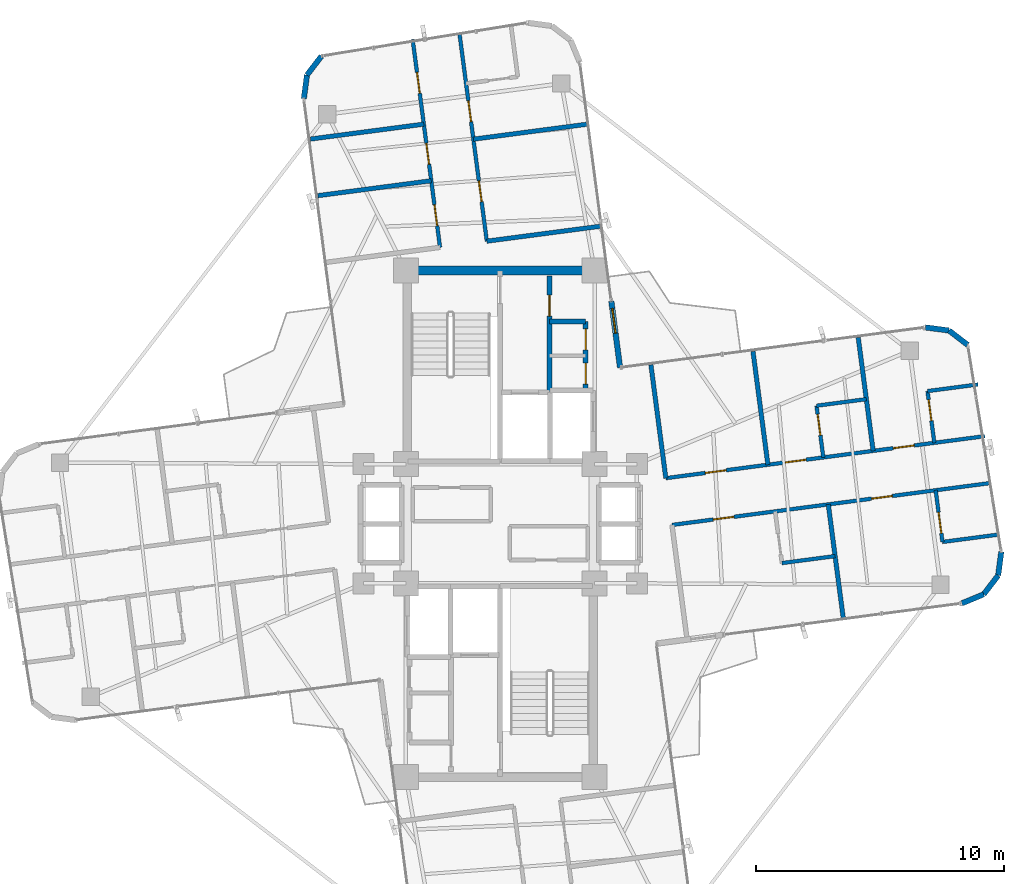
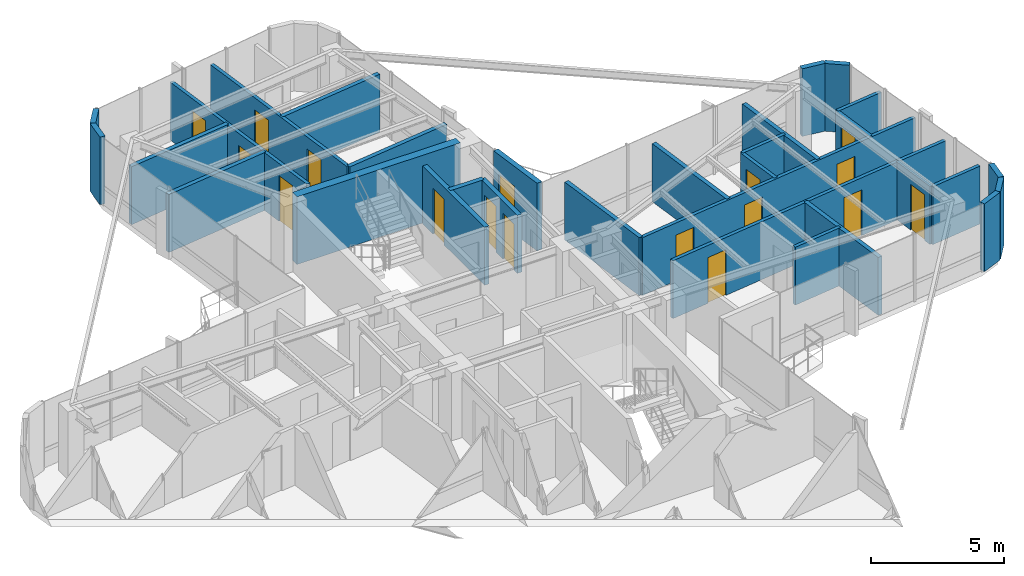
# One storey, part 21 of 23: 31 walls, 17 doors, 17 openings.
"""IFC4 building model written with IfcOpenShell, lengths in metres."""

from ifc_helpers import new_model, si_unit, direction, frame, frame_2d, origin, origin_2d, place, context, subcontext, project, spatial, rectangle, extrude, source, transform, mapped, material, layer, layer_set, type_object, element, fill, save


model = new_model("IFC4")

# Units and contexts
model_context = context("Model", 3, precision=1e-05, world=origin(), true_north=direction((0.0, 1.0)))
body_context = subcontext(model_context, "Body", "Model", "MODEL_VIEW")
ifc_project = project(units=[si_unit("LENGTHUNIT", "METRE"), si_unit("AREAUNIT", "SQUARE_METRE"), si_unit("VOLUMEUNIT", "CUBIC_METRE"), si_unit("PLANEANGLEUNIT", "RADIAN"), si_unit("MASSUNIT", "GRAM", prefix="KILO")], contexts=[model_context])

# Site, building, storey
site_placement = place(None, origin())
site = spatial("IfcSite", under=ifc_project, at=site_placement, CompositionType="ELEMENT")
building_placement = place(site_placement, origin())
building = spatial("IfcBuilding", under=site, at=building_placement, Name="Sahyath Konkavel Grand Hotel", CompositionType="ELEMENT")
storey_placement = place(building_placement, frame((0.0, 0.0, 254.550048828125)))
storey = spatial("IfcBuildingStorey", under=building, at=storey_placement, Name="L71", CompositionType="ELEMENT", Elevation=254.550048828125)

# Walls
ifc_material_1 = material(Name="Concrete C40/50", Category="concrete")
ifc_layer_1 = layer(ifc_material_1, 0.35009765625)
ifc_layer_set_1 = layer_set([ifc_layer_1], Name="Concrete C40/50")
wall_type_1 = type_object("IfcWallType", Name="CWALL-350", PredefinedType="SHEAR", material=ifc_layer_set_1)
wall_1_placement = place(storey_placement, frame((-3.550048828125, 10.199951171875, 0.0), z_axis=(0.0, 0.0, 1.0), x_axis=(1.0, 0.0, 0.0)))
element("IfcWall", 1, at=wall_1_placement, inside=storey, type_object=wall_type_1, Name="L71 North Core Shear Wall N", PredefinedType="SHEAR", context=body_context, shape_type="SweptSolid", body=[
    extrude(rectangle(XDim=7.10009765625, YDim=0.35009765625, at=frame_2d((3.550048828125, 0.0))), origin(), (0.0, 0.0, 1.0), 3.10986328125),
])
ifc_material_2 = material(Name="Warm Buff Sandstone Insulated Concrete C40/50", Category="masonry")
ifc_layer_2 = layer(ifc_material_2, 0.219970703125)
ifc_layer_set_2 = layer_set([ifc_layer_2], Name="Warm Buff Sandstone Insulated Concrete C40/50")
wall_type_2 = type_object("IfcWallType", Name="WLL-BALC-THRESH", PredefinedType="STANDARD", material=ifc_layer_set_2)
for number, where, z_axis, x_axis, name in (
    (2, (18.58056640625, -3.206298828125, 0.0), (0.0, 0.0, 1.0), (0.923761914696, 0.382967263559, 0.0), "L71 Rounded Corner Sandstone Pier 1"),
    (3, (19.465087890625, -2.839599609375, 0.0), (0.0, 0.0, 1.0), (0.608897151398, 0.793249178392, 0.0), "L71 Rounded Corner Sandstone Pier 2"),
):
    element("IfcWall", number, at=place(storey_placement, frame(where, z_axis=z_axis, x_axis=x_axis)), inside=storey, type_object=wall_type_2, Name=name, PredefinedType="STANDARD", context=body_context, shape_type="SweptSolid", body=[
        extrude(rectangle(XDim=0.95751953125, YDim=0.219970703125, at=frame_2d((0.478759765625, 0.0))), origin(), (0.0, 0.0, 1.0), 3.10986328125),
    ])
for number, where, z_axis, x_axis, name in (
    (4, (20.048095703125, -2.080078125, 0.0), (0.0, 0.0, 1.0), (0.130527053476, 0.991444747987, 0.0), "L71 Rounded Corner Sandstone Pier 3"),
    (5, (18.82666015625, 7.197998046875, 0.0), (0.0, 0.0, 1.0), (-0.793343685778, 0.608774010809, 0.0), "L71 Rounded Corner Sandstone Pier 5"),
    (6, (18.06689453125, 7.781005859375, 0.0), (0.0, 0.0, 1.0), (-0.991444747987, 0.130527053476, 0.0), "L71 Rounded Corner Sandstone Pier 6"),
):
    element("IfcWall", number, at=place(storey_placement, frame(where, z_axis=z_axis, x_axis=x_axis)), inside=storey, type_object=wall_type_2, Name=name, PredefinedType="STANDARD", context=body_context, shape_type="SweptSolid", body=[
        extrude(rectangle(XDim=0.957763671875, YDim=0.219970703125, at=frame_2d((0.47900390625, 0.0))), origin(), (0.0, 0.0, 1.0), 3.10986328125),
    ])

# Wall, opening, door
wall_2_placement = place(storey_placement, frame((4.82470703125, 6.28759765625, 0.0), z_axis=(0.0, 0.0, 1.0), x_axis=(-0.130576147498, 0.991438283356, 0.0)))
wall_2 = element("IfcWall", 7, at=wall_2_placement, inside=storey, type_object=wall_type_2, Name="L71 Winter-Garden Threshold Wall 8", PredefinedType="STANDARD", context=body_context, shape_type="SweptSolid", body=[
    extrude(rectangle(XDim=2.699951171875, YDim=0.219970703125, at=frame_2d((1.35009765625, 0.0))), origin(), (0.0, 0.0, 1.0), 3.10986328125),
])
opening_1_placement = place(wall_2_placement, frame((1.39990234375, 0.0, 0.0)))
opening_1 = element("IfcOpeningElement", 8, at=opening_1_placement, cuts=wall_2, Name="Opening D-TR1", PredefinedType="OPENING", context=body_context, shape_type="SweptSolid", body=[
    extrude(rectangle(XDim=1.0, YDim=2.199951171875, at=frame_2d((0.5, 1.10009765625))), frame((0.0, 0.1201171875, 0.0), z_axis=(0.0, -1.0, 0.0), x_axis=(1.0, 0.0, 0.0)), (0.0, 0.0, 1.0), 0.239990234375),
])
ifc_material_3 = material(Name="Anodised Bronze Aluminium & Low-E Glazing", Category="aluminium")
door_type_1 = type_object("IfcDoorType", Name="DR-TERRACE-1000", OperationType="NOTDEFINED", PredefinedType="DOOR", material=ifc_material_3)
shared_shape_1 = source(origin(), body_context, "Body", "SweptSolid", [
    extrude(rectangle(XDim=1.0, YDim=0.050048828125, at=origin_2d()), origin(), (0.0, 0.0, 1.0), 2.199951171875),
])
door_1_placement = place(opening_1_placement, frame((0.5, 0.0, 0.0)))
door_1 = element("IfcDoor", 9, at=door_1_placement, inside=storey, type_object=door_type_1, Name="L71 Winter-Garden Terrace Door 8", OperationType="SINGLE_SWING_LEFT", OverallHeight=2.199951171875, OverallWidth=1.0, PredefinedType="DOOR", context=body_context, shape_type="MappedRepresentation", body=[
    mapped(shared_shape_1, transform((0.0, 0.0, 0.0), scale=1.0)),
])
fill(opening_1, door_1)

# Walls
for number, where, z_axis, x_axis, name in (
    (10, (-7.197998046875, 18.82666015625, 0.0), (0.0, 0.0, 1.0), (-0.608774010809, -0.793343685778, 0.0), "L71 Rounded Corner Sandstone Pier 13"),
    (11, (-7.781005859375, 18.06689453125, 0.0), (0.0, 0.0, 1.0), (-0.130527053476, -0.991444747987, 0.0), "L71 Rounded Corner Sandstone Pier 14"),
):
    element("IfcWall", number, at=place(storey_placement, frame(where, z_axis=z_axis, x_axis=x_axis)), inside=storey, type_object=wall_type_2, Name=name, PredefinedType="STANDARD", context=body_context, shape_type="SweptSolid", body=[
        extrude(rectangle(XDim=0.957763671875, YDim=0.219970703125, at=frame_2d((0.47900390625, 0.0))), origin(), (0.0, 0.0, 1.0), 3.10986328125),
    ])

# Wall, opening, door
ifc_layer_3 = layer(ifc_material_1, 0.199951171875)
ifc_layer_set_3 = layer_set([ifc_layer_3], Name="Concrete C40/50")
wall_type_3 = type_object("IfcWallType", Name="WLL-CORE-200", PredefinedType="SOLIDWALL", material=ifc_layer_set_3)
wall_3_placement = place(storey_placement, frame((1.97998046875, 5.320068359375, 0.0), z_axis=(0.0, 0.0, 1.0), x_axis=(0.0, 1.0, 0.0)))
wall_3 = element("IfcWall", 12, at=wall_3_placement, inside=storey, type_object=wall_type_3, Name="L71 North Firefighting Lobby Wall E", PredefinedType="SOLIDWALL", context=body_context, shape_type="SweptSolid", body=[
    extrude(rectangle(XDim=4.659912109375, YDim=0.199951171875, at=frame_2d((2.330078125, 0.0))), origin(), (0.0, 0.0, 1.0), 2.659912109375),
])
opening_2_placement = place(wall_3_placement, frame((3.0400390625, 0.0, 0.0)))
opening_2 = element("IfcOpeningElement", 13, at=opening_2_placement, cuts=wall_3, Name="Opening D-F12D", PredefinedType="OPENING", context=body_context, shape_type="SweptSolid", body=[
    extrude(rectangle(XDim=0.85009765625, YDim=2.10009765625, at=frame_2d((0.425048828125, 1.050048828125))), frame((0.0, 0.10986328125, 0.0), z_axis=(0.0, -1.0, 0.0), x_axis=(1.0, 0.0, 0.0)), (0.0, 0.0, 1.0), 0.219970703125),
])
ifc_material_4 = material(Name="Steel E350 Core Fire Door", Category="steel")
door_type_2 = type_object("IfcDoorType", Name="DR-FD120-850", OperationType="NOTDEFINED", PredefinedType="DOOR", material=ifc_material_4)
shared_shape_2 = source(origin(), body_context, "Body", "SweptSolid", [
    extrude(rectangle(XDim=0.85009765625, YDim=0.050048828125, at=origin_2d()), origin(), (0.0, 0.0, 1.0), 2.10009765625),
])
door_2_placement = place(opening_2_placement, frame((0.425048828125, 0.0, 0.0)))
door_2 = element("IfcDoor", 14, at=door_2_placement, inside=storey, type_object=door_type_2, Name="L71 North Firefighting Lobby Door", OperationType="SINGLE_SWING_LEFT", OverallHeight=2.10009765625, OverallWidth=0.85009765625, PredefinedType="DOOR", context=body_context, shape_type="MappedRepresentation", body=[
    mapped(shared_shape_2, transform((0.0, 0.0, 0.0), scale=1.0)),
])
fill(opening_2, door_2)

# Wall, openings, doors
wall_4_placement = place(storey_placement, frame((3.43994140625, 5.3798828125, 0.0), z_axis=(0.0, 0.0, 1.0), x_axis=(0.0, 1.0, 0.0)))
wall_4 = element("IfcWall", 15, at=wall_4_placement, inside=storey, type_object=wall_type_3, Name="L71 Reclaimed North Core Wall E", PredefinedType="SOLIDWALL", context=body_context, shape_type="SweptSolid", body=[
    extrude(rectangle(XDim=2.77001953125, YDim=0.199951171875, at=frame_2d((1.385009765625, 0.0))), origin(), (0.0, 0.0, 1.0), 2.659912109375),
])
opening_3_placement = place(wall_4_placement, frame((0.239990234375, 0.0, 0.0)))
opening_3 = element("IfcOpeningElement", 16, at=opening_3_placement, cuts=wall_4, Name="Opening D-F06D", PredefinedType="OPENING", context=body_context, shape_type="SweptSolid", body=[
    extrude(rectangle(XDim=0.85009765625, YDim=2.10009765625, at=frame_2d((0.425048828125, 1.050048828125))), frame((0.0, 0.10986328125, 0.0), z_axis=(0.0, -1.0, 0.0), x_axis=(1.0, 0.0, 0.0)), (0.0, 0.0, 1.0), 0.219970703125),
])
opening_4_placement = place(wall_4_placement, frame((1.6201171875, 0.0, 0.0)))
opening_4 = element("IfcOpeningElement", 17, at=opening_4_placement, cuts=wall_4, Name="Opening D-F06D", PredefinedType="OPENING", context=body_context, shape_type="SweptSolid", body=[
    extrude(rectangle(XDim=0.85009765625, YDim=2.10009765625, at=frame_2d((0.425048828125, 1.050048828125))), frame((0.0, 0.10986328125, 0.0), z_axis=(0.0, -1.0, 0.0), x_axis=(1.0, 0.0, 0.0)), (0.0, 0.0, 1.0), 0.219970703125),
])
ifc_material_5 = material(Name="Fire-Rated Shaft Access Door")
door_type_3 = type_object("IfcDoorType", Name="DR-FD60-850", OperationType="NOTDEFINED", PredefinedType="DOOR", material=ifc_material_5)
door_3_placement = place(opening_3_placement, frame((0.425048828125, 0.0, 0.0)))
door_3 = element("IfcDoor", 18, at=door_3_placement, inside=storey, type_object=door_type_3, Name="L71 Door NC-REC1-D", OperationType="SINGLE_SWING_LEFT", OverallHeight=2.10009765625, OverallWidth=0.85009765625, PredefinedType="DOOR", context=body_context, shape_type="MappedRepresentation", body=[
    mapped(shared_shape_2, transform((0.0, 0.0, 0.0), scale=1.0)),
])
fill(opening_3, door_3)
door_4_placement = place(opening_4_placement, frame((0.425048828125, 0.0, 0.0)))
door_4 = element("IfcDoor", 19, at=door_4_placement, inside=storey, type_object=door_type_3, Name="L71 Door NC-REC2-D", OperationType="SINGLE_SWING_RIGHT", OverallHeight=2.10009765625, OverallWidth=0.85009765625, PredefinedType="DOOR", context=body_context, shape_type="MappedRepresentation", body=[
    mapped(shared_shape_2, transform((0.0, 0.0, 0.0), scale=1.0)),
])
fill(opening_4, door_4)

# Walls
wall_5_placement = place(storey_placement, frame((1.97998046875, 8.14990234375, 0.0), z_axis=(0.0, 0.0, 1.0), x_axis=(1.0, 0.0, 0.0)))
element("IfcWall", 20, at=wall_5_placement, inside=storey, type_object=wall_type_3, Name="L71 Partition NC-REC-N", PredefinedType="SOLIDWALL", context=body_context, shape_type="SweptSolid", body=[
    extrude(rectangle(XDim=1.4599609375, YDim=0.199951171875, at=frame_2d((0.72998046875, 0.0))), origin(), (0.0, 0.0, 1.0), 2.659912109375),
])
ifc_material_6 = material(Name="Twin-Stud Acoustic Gypsum Plasterboard Partition")
ifc_layer_4 = layer(ifc_material_6, 0.179931640625)
ifc_layer_set_4 = layer_set([ifc_layer_4], Name="Twin-Stud Acoustic Gypsum Plasterboard Partition")
wall_type_4 = type_object("IfcWallType", Name="WLL-DEMISE-180", PredefinedType="PARTITIONING", material=ifc_layer_set_4)
for number, where, z_axis, x_axis, name in (
    (21, (6.66748046875, 1.8359375, 0.0), (0.0, 0.0, 1.0), (-0.130551902153, 0.991441476258, 0.0), "L71 Partition E-INL"),
    (22, (10.77685546875, 2.376953125, 0.0), (0.0, 0.0, 1.0), (-0.130499778621, 0.991448338432, 0.0), "L71 Partition E-E1L-DEM"),
    (23, (15.014404296875, 2.934814453125, 0.0), (0.0, 0.0, 1.0), (-0.130551902153, 0.991441476258, 0.0), "L71 Partition E-E2L-DEM"),
    (24, (13.2080078125, 0.78076171875, 0.0), (0.0, 0.0, 1.0), (0.130551902153, -0.991441476258, 0.0), "L71 Partition E-E1R-DEM"),
):
    element("IfcWall", number, at=place(storey_placement, frame(where, z_axis=z_axis, x_axis=x_axis)), inside=storey, type_object=wall_type_4, Name=name, PredefinedType="PARTITIONING", context=body_context, shape_type="SweptSolid", body=[
        extrude(rectangle(XDim=4.60400390625, YDim=0.179931640625, at=frame_2d((2.302001953125, 0.0))), origin(), (0.0, 0.0, 1.0), 2.659912109375),
    ])
wall_6_placement = place(storey_placement, frame((4.02490234375, 11.977783203125, 0.0), z_axis=(0.0, 0.0, 1.0), x_axis=(-0.991447435299, -0.13050663983, 0.0)))
element("IfcWall", 25, at=wall_6_placement, inside=storey, type_object=wall_type_4, Name="L71 Partition N-INR", PredefinedType="PARTITIONING", context=body_context, shape_type="SweptSolid", body=[
    extrude(rectangle(XDim=4.603759765625, YDim=0.179931640625, at=frame_2d((2.3017578125, 0.0))), origin(), (0.0, 0.0, 1.0), 2.659912109375),
])
for number, where, z_axis, x_axis, name in (
    (26, (-2.7763671875, 13.810791015625, 0.0), (0.0, 0.0, 1.0), (-0.991441476258, -0.130551902153, 0.0), "L71 Partition N-N1L-DEM"),
    (27, (-3.076416015625, 16.089111328125, 0.0), (0.0, 0.0, 1.0), (-0.991448338432, -0.130499778621, 0.0), "L71 Partition N-N2L-DEM"),
):
    element("IfcWall", number, at=place(storey_placement, frame(where, z_axis=z_axis, x_axis=x_axis)), inside=storey, type_object=wall_type_4, Name=name, PredefinedType="PARTITIONING", context=body_context, shape_type="SweptSolid", body=[
        extrude(rectangle(XDim=4.60400390625, YDim=0.179931640625, at=frame_2d((2.302001953125, 0.0))), origin(), (0.0, 0.0, 1.0), 2.659912109375),
    ])
wall_7_placement = place(storey_placement, frame((-1.080078125, 15.4833984375, 0.0), z_axis=(0.0, 0.0, 1.0), x_axis=(0.991440572409, 0.130558766007, 0.0)))
element("IfcWall", 28, at=wall_7_placement, inside=storey, type_object=wall_type_4, Name="L71 Partition N-N1R-DEM", PredefinedType="PARTITIONING", context=body_context, shape_type="SweptSolid", body=[
    extrude(rectangle(XDim=4.603759765625, YDim=0.179931640625, at=frame_2d((2.3017578125, 0.0))), origin(), (0.0, 0.0, 1.0), 2.659912109375),
])

# Wall, openings, doors
ifc_material_7 = material(Name="Fire-Rated Gypsum Plasterboard Partition")
ifc_layer_5 = layer(ifc_material_7, 0.14990234375)
ifc_layer_set_5 = layer_set([ifc_layer_5], Name="Fire-Rated Gypsum Plasterboard Partition")
wall_type_5 = type_object("IfcWallType", Name="WLL-PART-150", PredefinedType="PARTITIONING", material=ifc_layer_set_5)
wall_8_placement = place(storey_placement, frame((6.66748046875, 1.8359375, 0.0), z_axis=(0.0, 0.0, 1.0), x_axis=(0.991444990711, 0.1305252098, 0.0)))
wall_8 = element("IfcWall", 29, at=wall_8_placement, inside=storey, type_object=wall_type_5, Name="L71 Partition E-CL", PredefinedType="PARTITIONING", context=body_context, shape_type="SweptSolid", body=[
    extrude(rectangle(XDim=12.952880859375, YDim=0.14990234375, at=frame_2d((6.4765625, 0.0))), origin(), (0.0, 0.0, 1.0), 2.659912109375),
])
opening_5_placement = place(wall_8_placement, frame((1.596923828125, 0.0, 0.0)))
opening_5 = element("IfcOpeningElement", 30, at=opening_5_placement, cuts=wall_8, Name="Opening D-F06D", PredefinedType="OPENING", context=body_context, shape_type="SweptSolid", body=[
    extrude(rectangle(XDim=0.85009765625, YDim=2.10009765625, at=frame_2d((0.425048828125, 1.050048828125))), frame((0.0, 0.0849609375, 0.0), z_axis=(0.0, -1.0, 0.0), x_axis=(1.0, 0.0, 0.0)), (0.0, 0.0, 1.0), 0.169921875),
])
opening_6_placement = place(wall_8_placement, frame((4.844970703125, 0.0, 0.0)))
opening_6 = element("IfcOpeningElement", 31, at=opening_6_placement, cuts=wall_8, Name="Opening D-F06D", PredefinedType="OPENING", context=body_context, shape_type="SweptSolid", body=[
    extrude(rectangle(XDim=0.85009765625, YDim=2.10009765625, at=frame_2d((0.425048828125, 1.050048828125))), frame((0.0, 0.0849609375, 0.0), z_axis=(0.0, -1.0, 0.0), x_axis=(1.0, 0.0, 0.0)), (0.0, 0.0, 1.0), 0.169921875),
])
opening_7_placement = place(wall_8_placement, frame((9.236083984375, 0.0, 0.0)))
opening_7 = element("IfcOpeningElement", 32, at=opening_7_placement, cuts=wall_8, Name="Opening D-F06D", PredefinedType="OPENING", context=body_context, shape_type="SweptSolid", body=[
    extrude(rectangle(XDim=0.85009765625, YDim=2.10009765625, at=frame_2d((0.425048828125, 1.050048828125))), frame((0.0, 0.0849609375, 0.0), z_axis=(0.0, -1.0, 0.0), x_axis=(1.0, 0.0, 0.0)), (0.0, 0.0, 1.0), 0.169921875),
])
door_5_placement = place(opening_5_placement, frame((0.425048828125, 0.0, 0.0)))
door_5 = element("IfcDoor", 33, at=door_5_placement, inside=storey, type_object=door_type_3, Name="L71 Door E-E1L-D", OperationType="SINGLE_SWING_LEFT", OverallHeight=2.10009765625, OverallWidth=0.85009765625, PredefinedType="DOOR", context=body_context, shape_type="MappedRepresentation", body=[
    mapped(shared_shape_2, transform((0.0, 0.0, 0.0), scale=1.0)),
])
fill(opening_5, door_5)
door_6_placement = place(opening_6_placement, frame((0.425048828125, 0.0, 0.0)))
door_6 = element("IfcDoor", 34, at=door_6_placement, inside=storey, type_object=door_type_3, Name="L71 Door E-E2L-ED", OperationType="SINGLE_SWING_LEFT", OverallHeight=2.10009765625, OverallWidth=0.85009765625, PredefinedType="DOOR", context=body_context, shape_type="MappedRepresentation", body=[
    mapped(shared_shape_2, transform((0.0, 0.0, 0.0), scale=1.0)),
])
fill(opening_6, door_6)
door_7_placement = place(opening_7_placement, frame((0.425048828125, 0.0, 0.0)))
door_7 = element("IfcDoor", 35, at=door_7_placement, inside=storey, type_object=door_type_3, Name="L71 Door E-E3L-ED", OperationType="SINGLE_SWING_LEFT", OverallHeight=2.10009765625, OverallWidth=0.85009765625, PredefinedType="DOOR", context=body_context, shape_type="MappedRepresentation", body=[
    mapped(shared_shape_2, transform((0.0, 0.0, 0.0), scale=1.0)),
])
fill(opening_7, door_7)

wall_9_placement = place(storey_placement, frame((6.915283203125, -0.0478515625, 0.0), z_axis=(0.0, 0.0, 1.0), x_axis=(0.991445311819, 0.1305227707, 0.0)))
wall_9 = element("IfcWall", 36, at=wall_9_placement, inside=storey, type_object=wall_type_5, Name="L71 Partition E-CR", PredefinedType="PARTITIONING", context=body_context, shape_type="SweptSolid", body=[
    extrude(rectangle(XDim=12.953125, YDim=0.14990234375, at=frame_2d((6.4765625, 0.0))), origin(), (0.0, 0.0, 1.0), 2.659912109375),
])
opening_8_placement = place(wall_9_placement, frame((1.6689453125, 0.0, 0.0)))
opening_8 = element("IfcOpeningElement", 37, at=opening_8_placement, cuts=wall_9, Name="Opening D-F06D", PredefinedType="OPENING", context=body_context, shape_type="SweptSolid", body=[
    extrude(rectangle(XDim=0.85009765625, YDim=2.10009765625, at=frame_2d((0.425048828125, 1.050048828125))), frame((0.0, 0.0849609375, 0.0), z_axis=(0.0, -1.0, 0.0), x_axis=(1.0, 0.0, 0.0)), (0.0, 0.0, 1.0), 0.169921875),
])
opening_9_placement = place(wall_9_placement, frame((8.10205078125, 0.0, 0.0)))
opening_9 = element("IfcOpeningElement", 38, at=opening_9_placement, cuts=wall_9, Name="Opening D-F06D", PredefinedType="OPENING", context=body_context, shape_type="SweptSolid", body=[
    extrude(rectangle(XDim=0.85009765625, YDim=2.10009765625, at=frame_2d((0.425048828125, 1.050048828125))), frame((0.0, 0.0849609375, 0.0), z_axis=(0.0, -1.0, 0.0), x_axis=(1.0, 0.0, 0.0)), (0.0, 0.0, 1.0), 0.169921875),
])
door_8_placement = place(opening_8_placement, frame((0.425048828125, 0.0, 0.0)))
door_8 = element("IfcDoor", 39, at=door_8_placement, inside=storey, type_object=door_type_3, Name="L71 Door E-E1R-ED", OperationType="SINGLE_SWING_LEFT", OverallHeight=2.10009765625, OverallWidth=0.85009765625, PredefinedType="DOOR", context=body_context, shape_type="MappedRepresentation", body=[
    mapped(shared_shape_2, transform((0.0, 0.0, 0.0), scale=1.0)),
])
fill(opening_8, door_8)
door_9_placement = place(opening_9_placement, frame((0.425048828125, 0.0, 0.0)))
door_9 = element("IfcDoor", 40, at=door_9_placement, inside=storey, type_object=door_type_3, Name="L71 Door E-E2R-ED", OperationType="SINGLE_SWING_LEFT", OverallHeight=2.10009765625, OverallWidth=0.85009765625, PredefinedType="DOOR", context=body_context, shape_type="MappedRepresentation", body=[
    mapped(shared_shape_2, transform((0.0, 0.0, 0.0), scale=1.0)),
])
fill(opening_9, door_9)

# Wall, opening, door
wall_10_placement = place(storey_placement, frame((13.0078125, 2.670654296875, 0.0), z_axis=(0.0, 0.0, 1.0), x_axis=(-0.130556761174, 0.991440836415, 0.0)))
wall_10 = element("IfcWall", 41, at=wall_10_placement, inside=storey, type_object=wall_type_5, Name="L71 Partition E-E2L-BS", PredefinedType="PARTITIONING", context=body_context, shape_type="SweptSolid", body=[
    extrude(rectangle(XDim=2.10009765625, YDim=0.14990234375, at=frame_2d((1.050048828125, 0.0))), origin(), (0.0, 0.0, 1.0), 2.659912109375),
])
opening_10_placement = place(wall_10_placement, frame((0.89990234375, 0.0, 0.0)))
opening_10 = element("IfcOpeningElement", 42, at=opening_10_placement, cuts=wall_10, Name="Opening D-BT85", PredefinedType="OPENING", context=body_context, shape_type="SweptSolid", body=[
    extrude(rectangle(XDim=0.85009765625, YDim=2.10009765625, at=frame_2d((0.425048828125, 1.050048828125))), frame((0.0, 0.0849609375, 0.0), z_axis=(0.0, -1.0, 0.0), x_axis=(1.0, 0.0, 0.0)), (0.0, 0.0, 1.0), 0.169921875),
])
ifc_material_8 = material(Name="Moisture-Resistant Teak Bathroom Door")
door_type_4 = type_object("IfcDoorType", Name="DR-BATH-850", OperationType="NOTDEFINED", PredefinedType="DOOR", material=ifc_material_8)
door_10_placement = place(opening_10_placement, frame((0.425048828125, 0.0, 0.0)))
door_10 = element("IfcDoor", 43, at=door_10_placement, inside=storey, type_object=door_type_4, Name="L71 Door E-E2L-BD", OperationType="SINGLE_SWING_RIGHT", OverallHeight=2.10009765625, OverallWidth=0.85009765625, PredefinedType="DOOR", context=body_context, shape_type="MappedRepresentation", body=[
    mapped(shared_shape_2, transform((0.0, 0.0, 0.0), scale=1.0)),
])
fill(opening_10, door_10)

# Wall
wall_11_placement = place(storey_placement, frame((12.733642578125, 4.752685546875, 0.0), z_axis=(0.0, 0.0, 1.0), x_axis=(0.99144567119, 0.130520040909, 0.0)))
element("IfcWall", 44, at=wall_11_placement, inside=storey, type_object=wall_type_5, Name="L71 Partition E-E2L-BF", PredefinedType="PARTITIONING", context=body_context, shape_type="SweptSolid", body=[
    extrude(rectangle(XDim=2.02392578125, YDim=0.14990234375, at=frame_2d((1.011962890625, 0.0))), origin(), (0.0, 0.0, 1.0), 2.659912109375),
])

# Wall, opening, door
wall_12_placement = place(storey_placement, frame((17.47705078125, 3.259033203125, 0.0), z_axis=(0.0, 0.0, 1.0), x_axis=(-0.130556761174, 0.991440836415, 0.0)))
wall_12 = element("IfcWall", 45, at=wall_12_placement, inside=storey, type_object=wall_type_5, Name="L71 Partition E-E3L-BS", PredefinedType="PARTITIONING", context=body_context, shape_type="SweptSolid", body=[
    extrude(rectangle(XDim=2.10009765625, YDim=0.14990234375, at=frame_2d((1.050048828125, 0.0))), origin(), (0.0, 0.0, 1.0), 2.659912109375),
])
opening_11_placement = place(wall_12_placement, frame((0.89990234375, 0.0, 0.0)))
opening_11 = element("IfcOpeningElement", 46, at=opening_11_placement, cuts=wall_12, Name="Opening D-BT85", PredefinedType="OPENING", context=body_context, shape_type="SweptSolid", body=[
    extrude(rectangle(XDim=0.85009765625, YDim=2.10009765625, at=frame_2d((0.425048828125, 1.050048828125))), frame((0.0, 0.0849609375, 0.0), z_axis=(0.0, -1.0, 0.0), x_axis=(1.0, 0.0, 0.0)), (0.0, 0.0, 1.0), 0.169921875),
])
door_11_placement = place(opening_11_placement, frame((0.425048828125, 0.0, 0.0)))
door_11 = element("IfcDoor", 47, at=door_11_placement, inside=storey, type_object=door_type_4, Name="L71 Door E-E3L-BD", OperationType="SINGLE_SWING_RIGHT", OverallHeight=2.10009765625, OverallWidth=0.85009765625, PredefinedType="DOOR", context=body_context, shape_type="MappedRepresentation", body=[
    mapped(shared_shape_2, transform((0.0, 0.0, 0.0), scale=1.0)),
])
fill(opening_11, door_11)

# Walls
wall_13_placement = place(storey_placement, frame((17.202880859375, 5.341064453125, 0.0), z_axis=(0.0, 0.0, 1.0), x_axis=(0.991446998513, 0.130509958008, 0.0)))
element("IfcWall", 48, at=wall_13_placement, inside=storey, type_object=wall_type_5, Name="L71 Partition E-E3L-BF", PredefinedType="PARTITIONING", context=body_context, shape_type="SweptSolid", body=[
    extrude(rectangle(XDim=2.05029296875, YDim=0.14990234375, at=frame_2d((1.025146484375, 0.0))), origin(), (0.0, 0.0, 1.0), 2.659912109375),
])
wall_14_placement = place(storey_placement, frame((11.3427734375, -1.5830078125, 0.0), z_axis=(0.0, 0.0, 1.0), x_axis=(0.991454680634, 0.130451585846, 0.0)))
element("IfcWall", 49, at=wall_14_placement, inside=storey, type_object=wall_type_5, Name="L71 Partition E-E1R-BF", PredefinedType="PARTITIONING", context=body_context, shape_type="SweptSolid", body=[
    extrude(rectangle(XDim=2.157958984375, YDim=0.14990234375, at=frame_2d((1.0791015625, 0.0))), origin(), (0.0, 0.0, 1.0), 2.659912109375),
])

# Wall, opening, door
wall_15_placement = place(storey_placement, frame((17.53076171875, 1.349853515625, 0.0), z_axis=(0.0, 0.0, 1.0), x_axis=(0.130541714651, -0.991442817683, 0.0)))
wall_15 = element("IfcWall", 50, at=wall_15_placement, inside=storey, type_object=wall_type_5, Name="L71 Partition E-E2R-BS", PredefinedType="PARTITIONING", context=body_context, shape_type="SweptSolid", body=[
    extrude(rectangle(XDim=2.100341796875, YDim=0.14990234375, at=frame_2d((1.05029296875, 0.0))), origin(), (0.0, 0.0, 1.0), 2.659912109375),
])
opening_12_placement = place(wall_15_placement, frame((0.89990234375, 0.0, 0.0)))
opening_12 = element("IfcOpeningElement", 51, at=opening_12_placement, cuts=wall_15, Name="Opening D-BT85", PredefinedType="OPENING", context=body_context, shape_type="SweptSolid", body=[
    extrude(rectangle(XDim=0.85009765625, YDim=2.10009765625, at=frame_2d((0.425048828125, 1.050048828125))), frame((0.0, 0.0849609375, 0.0), z_axis=(0.0, -1.0, 0.0), x_axis=(1.0, 0.0, 0.0)), (0.0, 0.0, 1.0), 0.169921875),
])
door_12_placement = place(opening_12_placement, frame((0.425048828125, 0.0, 0.0)))
door_12 = element("IfcDoor", 52, at=door_12_placement, inside=storey, type_object=door_type_4, Name="L71 Door E-E2R-BD", OperationType="SINGLE_SWING_RIGHT", OverallHeight=2.10009765625, OverallWidth=0.85009765625, PredefinedType="DOOR", context=body_context, shape_type="MappedRepresentation", body=[
    mapped(shared_shape_2, transform((0.0, 0.0, 0.0), scale=1.0)),
])
fill(opening_12, door_12)

# Wall
wall_16_placement = place(storey_placement, frame((17.804931640625, -0.732421875, 0.0), z_axis=(0.0, 0.0, 1.0), x_axis=(0.991442082005, 0.130547301884, 0.0)))
element("IfcWall", 53, at=wall_16_placement, inside=storey, type_object=wall_type_5, Name="L71 Partition E-E2R-BF", PredefinedType="PARTITIONING", context=body_context, shape_type="SweptSolid", body=[
    extrude(rectangle(XDim=2.24609375, YDim=0.14990234375, at=frame_2d((1.123046875, 0.0))), origin(), (0.0, 0.0, 1.0), 2.659912109375),
])

# Wall, openings, doors
wall_17_placement = place(storey_placement, frame((-2.42333984375, 11.12890625, 0.0), z_axis=(0.0, 0.0, 1.0), x_axis=(-0.13051951241, 0.991445740765, 0.0)))
wall_17 = element("IfcWall", 54, at=wall_17_placement, inside=storey, type_object=wall_type_5, Name="L71 Partition N-CL", PredefinedType="PARTITIONING", context=body_context, shape_type="SweptSolid", body=[
    extrude(rectangle(XDim=8.452880859375, YDim=0.14990234375, at=frame_2d((4.2265625, 0.0))), origin(), (0.0, 0.0, 1.0), 2.659912109375),
])
opening_13_placement = place(wall_17_placement, frame((0.8779296875, 0.0, 0.0)))
opening_13 = element("IfcOpeningElement", 55, at=opening_13_placement, cuts=wall_17, Name="Opening D-F06D", PredefinedType="OPENING", context=body_context, shape_type="SweptSolid", body=[
    extrude(rectangle(XDim=0.85009765625, YDim=2.10009765625, at=frame_2d((0.425048828125, 1.050048828125))), frame((0.0, 0.0849609375, 0.0), z_axis=(0.0, -1.0, 0.0), x_axis=(1.0, 0.0, 0.0)), (0.0, 0.0, 1.0), 0.169921875),
])
opening_14_placement = place(wall_17_placement, frame((3.37890625, 0.0, 0.0)))
opening_14 = element("IfcOpeningElement", 56, at=opening_14_placement, cuts=wall_17, Name="Opening D-F06D", PredefinedType="OPENING", context=body_context, shape_type="SweptSolid", body=[
    extrude(rectangle(XDim=0.85009765625, YDim=2.10009765625, at=frame_2d((0.425048828125, 1.050048828125))), frame((0.0, 0.0849609375, 0.0), z_axis=(0.0, -1.0, 0.0), x_axis=(1.0, 0.0, 0.0)), (0.0, 0.0, 1.0), 0.169921875),
])
opening_15_placement = place(wall_17_placement, frame((6.2529296875, 0.0, 0.0)))
opening_15 = element("IfcOpeningElement", 57, at=opening_15_placement, cuts=wall_17, Name="Opening D-F06D", PredefinedType="OPENING", context=body_context, shape_type="SweptSolid", body=[
    extrude(rectangle(XDim=0.85009765625, YDim=2.10009765625, at=frame_2d((0.425048828125, 1.050048828125))), frame((0.0, 0.0849609375, 0.0), z_axis=(0.0, -1.0, 0.0), x_axis=(1.0, 0.0, 0.0)), (0.0, 0.0, 1.0), 0.169921875),
])
door_13_placement = place(opening_13_placement, frame((0.425048828125, 0.0, 0.0)))
door_13 = element("IfcDoor", 58, at=door_13_placement, inside=storey, type_object=door_type_3, Name="L71 Door N-N1L-D", OperationType="SINGLE_SWING_RIGHT", OverallHeight=2.10009765625, OverallWidth=0.85009765625, PredefinedType="DOOR", context=body_context, shape_type="MappedRepresentation", body=[
    mapped(shared_shape_2, transform((0.0, 0.0, 0.0), scale=1.0)),
])
fill(opening_13, door_13)
door_14_placement = place(opening_14_placement, frame((0.425048828125, 0.0, 0.0)))
door_14 = element("IfcDoor", 59, at=door_14_placement, inside=storey, type_object=door_type_3, Name="L71 Door N-N2L-D", OperationType="SINGLE_SWING_LEFT", OverallHeight=2.10009765625, OverallWidth=0.85009765625, PredefinedType="DOOR", context=body_context, shape_type="MappedRepresentation", body=[
    mapped(shared_shape_2, transform((0.0, 0.0, 0.0), scale=1.0)),
])
fill(opening_14, door_14)
door_15_placement = place(opening_15_placement, frame((0.425048828125, 0.0, 0.0)))
door_15 = element("IfcDoor", 60, at=door_15_placement, inside=storey, type_object=door_type_3, Name="L71 Door N-N3L-D", OperationType="SINGLE_SWING_RIGHT", OverallHeight=2.10009765625, OverallWidth=0.85009765625, PredefinedType="DOOR", context=body_context, shape_type="MappedRepresentation", body=[
    mapped(shared_shape_2, transform((0.0, 0.0, 0.0), scale=1.0)),
])
fill(opening_15, door_15)

wall_18_placement = place(storey_placement, frame((-0.53955078125, 11.376953125, 0.0), z_axis=(0.0, 0.0, 1.0), x_axis=(-0.13051951241, 0.991445740765, 0.0)))
wall_18 = element("IfcWall", 61, at=wall_18_placement, inside=storey, type_object=wall_type_5, Name="L71 Partition N-CR", PredefinedType="PARTITIONING", context=body_context, shape_type="SweptSolid", body=[
    extrude(rectangle(XDim=8.452880859375, YDim=0.14990234375, at=frame_2d((4.2265625, 0.0))), origin(), (0.0, 0.0, 1.0), 2.659912109375),
])
opening_16_placement = place(wall_18_placement, frame((1.595947265625, 0.0, 0.0)))
opening_16 = element("IfcOpeningElement", 62, at=opening_16_placement, cuts=wall_18, Name="Opening D-F06D", PredefinedType="OPENING", context=body_context, shape_type="SweptSolid", body=[
    extrude(rectangle(XDim=0.85009765625, YDim=2.10009765625, at=frame_2d((0.425048828125, 1.050048828125))), frame((0.0, 0.0849609375, 0.0), z_axis=(0.0, -1.0, 0.0), x_axis=(1.0, 0.0, 0.0)), (0.0, 0.0, 1.0), 0.169921875),
])
opening_17_placement = place(wall_18_placement, frame((4.847900390625, 0.0, 0.0)))
opening_17 = element("IfcOpeningElement", 63, at=opening_17_placement, cuts=wall_18, Name="Opening D-F06D", PredefinedType="OPENING", context=body_context, shape_type="SweptSolid", body=[
    extrude(rectangle(XDim=0.85009765625, YDim=2.10009765625, at=frame_2d((0.425048828125, 1.050048828125))), frame((0.0, 0.0849609375, 0.0), z_axis=(0.0, -1.0, 0.0), x_axis=(1.0, 0.0, 0.0)), (0.0, 0.0, 1.0), 0.169921875),
])
door_16_placement = place(opening_16_placement, frame((0.425048828125, 0.0, 0.0)))
door_16 = element("IfcDoor", 64, at=door_16_placement, inside=storey, type_object=door_type_3, Name="L71 Door N-N1R-D", OperationType="SINGLE_SWING_LEFT", OverallHeight=2.10009765625, OverallWidth=0.85009765625, PredefinedType="DOOR", context=body_context, shape_type="MappedRepresentation", body=[
    mapped(shared_shape_2, transform((0.0, 0.0, 0.0), scale=1.0)),
])
fill(opening_16, door_16)
door_17_placement = place(opening_17_placement, frame((0.425048828125, 0.0, 0.0)))
door_17 = element("IfcDoor", 65, at=door_17_placement, inside=storey, type_object=door_type_3, Name="L71 Door N-N2R-ED", OperationType="SINGLE_SWING_LEFT", OverallHeight=2.10009765625, OverallWidth=0.85009765625, PredefinedType="DOOR", context=body_context, shape_type="MappedRepresentation", body=[
    mapped(shared_shape_2, transform((0.0, 0.0, 0.0), scale=1.0)),
])
fill(opening_17, door_17)

save(model, "model.ifc")
